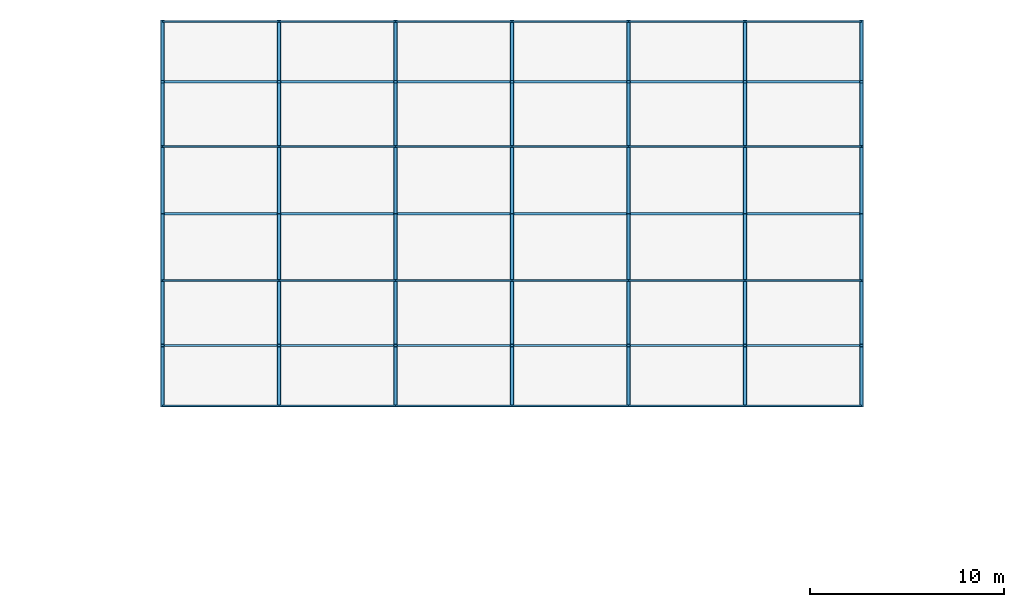
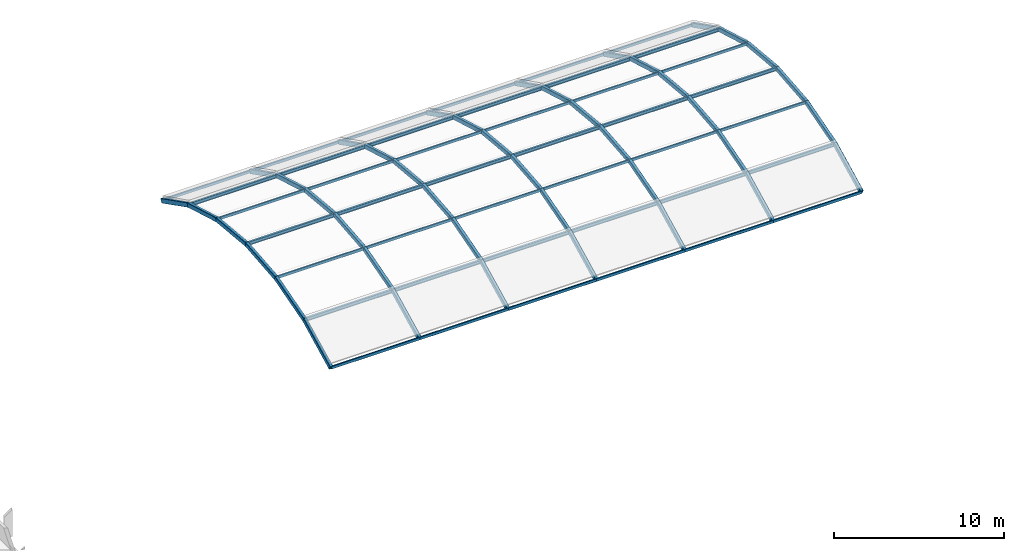
# One storey, part 6 of 27: 42 beams, 42 members.
"""IFC4 building model written with IfcOpenShell, lengths in metres."""

import ifcopenshell
import ifcopenshell.guid

model = None  # the IFC model being written
_history = None  # IfcOwnerHistory: only IFC2X3 demands one
_inside = {}  # id of a spatial element -> (the spatial element, [elements in it])
_under = {}  # id of a project, library or spatial element -> (it, [spatial elements below it])
_declared = {}  # id of a project -> (the project, [libraries it declares])
_typed = {}  # id of a type object -> (the type object, [elements of that type])
_made_of = {}  # id of a material, layer set ... -> (it, [elements and type objects made of it])


def new_model(schema):
    """Start an empty IFC model of exactly this schema.

    Asked for "IFC4X3", IfcOpenShell would pick the latest addendum, in which some entities
    have other attributes; the version numbers below select the first issue.
    IFC2X3 requires an IfcOwnerHistory on every rooted entity: one is made here for all.
    """
    global model, _history
    if schema == "IFC4X3":
        model = ifcopenshell.file(schema_version=(4, 3, 0, 0))
    else:
        model = ifcopenshell.file(schema=schema)
    _inside.clear()
    _under.clear()
    _declared.clear()
    _typed.clear()
    _made_of.clear()
    _history = None
    if model.schema == "IFC2X3":
        org = make("IfcOrganization", Name="unknown")
        user = make(
            "IfcPersonAndOrganization",
            ThePerson=make("IfcPerson", FamilyName="unknown"),
            TheOrganization=org,
        )
        app = make(
            "IfcApplication",
            ApplicationDeveloper=org,
            Version="unknown",
            ApplicationFullName="unknown",
            ApplicationIdentifier="unknown",
        )
        _history = make(
            "IfcOwnerHistory",
            OwningUser=user,
            OwningApplication=app,
            ChangeAction="ADDED",
            CreationDate=0,
        )
    return model


def make(cls, **values):
    """One entity of the class cls with the attributes given. An attribute that is None is left unset."""
    return model.create_entity(
        cls, **{name: value for name, value in values.items() if value is not None}
    )


def rooted(cls, **values):
    """An entity with a GlobalId (a new one), such as an element, a storey or a relation."""
    return make(cls, GlobalId=ifcopenshell.guid.new(), OwnerHistory=_history, **values)


def si_unit(unit_type, name, prefix=None):
    """IfcSIUnit, for example si_unit("LENGTHUNIT", "METRE", prefix="MILLI")."""
    return make("IfcSIUnit", UnitType=unit_type, Prefix=prefix, Name=name)


def assignment(units):
    """IfcUnitAssignment: the units of a project."""
    return None if units is None else make("IfcUnitAssignment", Units=units)


def point(xyz):
    """IfcCartesianPoint."""
    return None if xyz is None else make("IfcCartesianPoint", Coordinates=xyz)


def direction(xyz):
    """IfcDirection."""
    return None if xyz is None else make("IfcDirection", DirectionRatios=xyz)


def frame(location, z_axis=None, x_axis=None):
    """IfcAxis2Placement3D, a coordinate frame: its origin and axes. An axis left out is left unset."""
    return make(
        "IfcAxis2Placement3D",
        Location=point(location),
        Axis=direction(z_axis),
        RefDirection=direction(x_axis),
    )


def frame_2d(location, x_axis=None):
    """IfcAxis2Placement2D, a coordinate frame in the plane: its origin and x axis."""
    return make(
        "IfcAxis2Placement2D", Location=point(location), RefDirection=direction(x_axis)
    )


def origin():
    """The frame at (0, 0, 0) with its axes left unset."""
    return frame((0.0, 0.0, 0.0))


def origin_2d():
    """The frame at (0, 0) in the plane with its x axis left unset."""
    return frame_2d((0.0, 0.0))


def place(relative_to, where):
    """IfcLocalPlacement: puts the frame where relative to a parent placement (None: the world)."""
    return make(
        "IfcLocalPlacement", PlacementRelTo=relative_to, RelativePlacement=where
    )


def context(
    kind, dimensions, precision=None, world=None, true_north=None, identifier=None
):
    """IfcGeometricRepresentationContext, for example the 3D "Model" context."""
    return make(
        "IfcGeometricRepresentationContext",
        ContextIdentifier=identifier,
        ContextType=kind,
        CoordinateSpaceDimension=dimensions,
        Precision=precision,
        WorldCoordinateSystem=world,
        TrueNorth=true_north,
    )


def subcontext(parent, identifier, kind, view, scale=None):
    """IfcGeometricRepresentationSubContext, for example "Body" below "Model"."""
    return make(
        "IfcGeometricRepresentationSubContext",
        ContextIdentifier=identifier,
        ContextType=kind,
        ParentContext=parent,
        TargetScale=scale,
        TargetView=view,
    )


def project(units=None, contexts=None):
    """IfcProject with its units and contexts."""
    return rooted(
        "IfcProject",
        Name="project",
        RepresentationContexts=contexts,
        UnitsInContext=assignment(units),
    )


def spatial(cls, under=None, at=None, **own):
    """A site, building, storey or space (cls), placed at a placement, below another one or the project."""
    s = rooted(cls, ObjectPlacement=at, **own)
    if under is not None:
        _under.setdefault(under.id(), (under, []))[1].append(s)
    return s


def profile(cls, at=None, kind="AREA", **sizes):
    """A parametric profile (cls). Its sizes go by their IFC names, for example OverallWidth=200.0."""
    return make(cls, ProfileType=kind, Position=at, **sizes)


def hollow_rectangle(**sizes):
    """IfcRectangleHollowProfileDef."""
    return profile("IfcRectangleHollowProfileDef", **sizes)


def i_section(**sizes):
    """IfcIShapeProfileDef."""
    return profile("IfcIShapeProfileDef", **sizes)


def extrude(swept, where, along, depth):
    """IfcExtrudedAreaSolid: the profile swept, set in the frame where, extruded along a direction by depth."""
    return make(
        "IfcExtrudedAreaSolid",
        SweptArea=swept,
        Position=where,
        ExtrudedDirection=direction(along),
        Depth=depth,
    )


def shape(context_of_items, identifier, shape_type, items):
    """IfcShapeRepresentation: the items that make up one representation, for example the "Body"."""
    return make(
        "IfcShapeRepresentation",
        ContextOfItems=context_of_items,
        RepresentationIdentifier=identifier,
        RepresentationType=shape_type,
        Items=items,
    )


def material(Name=None, Category=None):
    """IfcMaterial."""
    return make("IfcMaterial", Name=Name, Category=Category)


def material_profile(
    of_material, cross_section, Name=None, Category=None, Priority=None
):
    """IfcMaterialProfile: a cross section and its material."""
    return make(
        "IfcMaterialProfile",
        Name=Name,
        Material=of_material,
        Profile=cross_section,
        Priority=Priority,
        Category=Category,
    )


def profile_set(profiles, Name=None, composite=None):
    """IfcMaterialProfileSet."""
    return make(
        "IfcMaterialProfileSet",
        Name=Name,
        MaterialProfiles=profiles,
        CompositeProfile=composite,
    )


def made_of(thing, what):
    """Note that an element or type object is made of a material, layer set ...; save() writes the relation."""
    if what is not None:
        _made_of.setdefault(what.id(), (what, []))[1].append(thing)
    return thing


def type_object(cls, material=None, **own):
    """A type object (cls), such as IfcWallType, which elements share."""
    return made_of(rooted(cls, **own), material)


def element(
    cls,
    number,
    at=None,
    inside=None,
    cuts=None,
    type_object=None,
    material=None,
    context=None,
    identifier="Body",
    shape_type=None,
    held_by="IfcProductDefinitionShape",
    body=None,
    shapes=None,
    **own,
):
    """One element of the class cls, such as IfcWall. Its Tag is "e" and its number.

    at: its placement. inside: the storey or other place that contains it. cuts: it is an
    opening in that element (IfcRelVoidsElement). A single representation is given by context,
    identifier, shape_type and body (its items); several are given by shapes. held_by: the class
    of the entity that holds the representations. save() writes the other relations.
    """
    e = rooted(cls, Tag="e%d" % number, ObjectPlacement=at, **own)
    if body is not None:
        shapes = [shape(context, identifier, shape_type, body)]
    if shapes is not None:
        e.Representation = make(held_by, Representations=shapes)
    if inside is not None:
        _inside.setdefault(inside.id(), (inside, []))[1].append(e)
    if cuts is not None:
        rooted(
            "IfcRelVoidsElement", RelatingBuildingElement=cuts, RelatedOpeningElement=e
        )
    if type_object is not None:
        _typed.setdefault(type_object.id(), (type_object, []))[1].append(e)
    return made_of(e, material)


def aggregate(whole, parts):
    """IfcRelAggregates: a whole, such as a stair, and the parts it consists of."""
    return rooted("IfcRelAggregates", RelatingObject=whole, RelatedObjects=parts)


def save(model, path):
    """Write the relations noted so far, then the file.

    IfcRelAggregates (storeys below a building ...), IfcRelContainedInSpatialStructure (elements
    in a storey), IfcRelDefinesByType, IfcRelAssociatesMaterial and IfcRelDeclares: one each for
    every whole, place, type object, material and project.
    """
    for whole, parts in _under.values():
        aggregate(whole, parts)
    for where, things in _inside.values():
        rooted(
            "IfcRelContainedInSpatialStructure",
            RelatedElements=things,
            RelatingStructure=where,
        )
    for kind, things in _typed.values():
        rooted("IfcRelDefinesByType", RelatedObjects=things, RelatingType=kind)
    for what, things in _made_of.values():
        rooted("IfcRelAssociatesMaterial", RelatedObjects=things, RelatingMaterial=what)
    for by, libraries in _declared.values():
        rooted("IfcRelDeclares", RelatingContext=by, RelatedDefinitions=libraries)
    model.write(path)


model = new_model("IFC4")

# Units and contexts
model_context = context("Model", 3, precision=1e-05, world=origin(), true_north=direction((0.0, 1.0)))
body_context = subcontext(model_context, "Body", "Model", "MODEL_VIEW")
ifc_project = project(units=[si_unit("LENGTHUNIT", "METRE"), si_unit("AREAUNIT", "SQUARE_METRE"), si_unit("VOLUMEUNIT", "CUBIC_METRE"), si_unit("PLANEANGLEUNIT", "RADIAN"), si_unit("MASSUNIT", "GRAM", prefix="KILO")], contexts=[model_context])

# Site, building, storey
site_placement = place(None, origin())
site = spatial("IfcSite", under=ifc_project, at=site_placement, CompositionType="ELEMENT")
building_placement = place(site_placement, origin())
building = spatial("IfcBuilding", under=site, at=building_placement, Name="Varnakota Square Police Headquarters", CompositionType="ELEMENT")
storey_placement = place(building_placement, frame((0.0, 0.0, 26.10009765625)))
storey = spatial("IfcBuildingStorey", under=building, at=storey_placement, Name="L06", CompositionType="ELEMENT", Elevation=26.10009765625)

# Beams
ifc_material = material(Name="Steel IS 2062 Grade 350", Category="steel")
ifc_material_profile_1 = material_profile(ifc_material, hollow_rectangle(XDim=0.199951171875, YDim=0.300048828125, WallThickness=0.011962890625, InnerFilletRadius=0.011962890625, OuterFilletRadius=0.02392578125, at=origin_2d()), Name="RHS 300x200x12")
ifc_profile_set_1 = profile_set([ifc_material_profile_1], Name="Steel IS 2062 Grade 350")
beam_type = type_object("IfcBeamType", Name="BM-VR-RHS300", PredefinedType="BEAM", material=ifc_profile_set_1)
beam_1_placement = place(storey_placement, frame((60.0, 74.097900390625, 0.438232421875), z_axis=(0.0, 0.892214040756, 0.451612782677), x_axis=(-1.0, 0.0, 0.0)))
element("IfcBeam", 1, at=beam_1_placement, inside=storey, type_object=beam_type, Name="Barrel vault arch rib chord VR-V2-R01-S03", PredefinedType="BEAM", context=body_context, shape_type="SweptSolid", body=[
    extrude(hollow_rectangle(XDim=0.199951171875, YDim=0.300048828125, WallThickness=0.011962890625, InnerFilletRadius=0.011962890625, OuterFilletRadius=0.02392578125, at=origin_2d()), origin(), (0.0, 0.0, 1.0), 3.48095703125),
])
beam_2_placement = place(storey_placement, frame((60.0, 77.20361328125, 2.01025390625), z_axis=(0.0, 0.96071126913, 0.277549738544), x_axis=(-1.0, 0.0, 0.0)))
element("IfcBeam", 2, at=beam_2_placement, inside=storey, type_object=beam_type, Name="Barrel vault arch rib chord VR-V2-R01-S04", PredefinedType="BEAM", context=body_context, shape_type="SweptSolid", body=[
    extrude(hollow_rectangle(XDim=0.199951171875, YDim=0.300048828125, WallThickness=0.011962890625, InnerFilletRadius=0.011962890625, OuterFilletRadius=0.02392578125, at=origin_2d()), origin(), (0.0, 0.0, 1.0), 3.475341796875),
])
for number, where, z_axis, x_axis, name in (
    (3, (60.0, 80.54248046875, 2.974853515625), (0.0, 0.995573175043, 0.093989643767), (-1.0, 0.0, 0.0), "Barrel vault arch rib chord VR-V2-R01-S05"),
    (4, (60.0, 84.0, 3.30126953125), (0.0, 0.995573175043, -0.093989643767), (-1.0, 0.0, 0.0), "Barrel vault arch rib chord VR-V2-R01-S06"),
):
    element("IfcBeam", number, at=place(storey_placement, frame(where, z_axis=z_axis, x_axis=x_axis)), inside=storey, type_object=beam_type, Name=name, PredefinedType="BEAM", context=body_context, shape_type="SweptSolid", body=[
        extrude(hollow_rectangle(XDim=0.199951171875, YDim=0.300048828125, WallThickness=0.011962890625, InnerFilletRadius=0.011962890625, OuterFilletRadius=0.02392578125, at=origin_2d()), origin(), (0.0, 0.0, 1.0), 3.472900390625),
    ])
beam_3_placement = place(storey_placement, frame((60.0, 87.45751953125, 2.974853515625), z_axis=(0.0, 0.96071126913, -0.277549738544), x_axis=(-1.0, 0.0, 0.0)))
element("IfcBeam", 5, at=beam_3_placement, inside=storey, type_object=beam_type, Name="Barrel vault arch rib chord VR-V2-R01-S07", PredefinedType="BEAM", context=body_context, shape_type="SweptSolid", body=[
    extrude(hollow_rectangle(XDim=0.199951171875, YDim=0.300048828125, WallThickness=0.011962890625, InnerFilletRadius=0.011962890625, OuterFilletRadius=0.02392578125, at=origin_2d()), origin(), (0.0, 0.0, 1.0), 3.475341796875),
])
for number, where, z_axis, x_axis, name in (
    (6, (60.0, 90.79638671875, 2.01025390625), (0.0, 0.892214040756, -0.451612782677), (-1.0, 0.0, 0.0), "Barrel vault arch rib chord VR-V2-R01-S08"),
    (7, (66.0, 74.097900390625, 0.438232421875), (0.0, 0.892214040756, 0.451612782677), (-1.0, 0.0, 0.0), "Barrel vault arch rib chord VR-V2-R02-S03"),
):
    element("IfcBeam", number, at=place(storey_placement, frame(where, z_axis=z_axis, x_axis=x_axis)), inside=storey, type_object=beam_type, Name=name, PredefinedType="BEAM", context=body_context, shape_type="SweptSolid", body=[
        extrude(hollow_rectangle(XDim=0.199951171875, YDim=0.300048828125, WallThickness=0.011962890625, InnerFilletRadius=0.011962890625, OuterFilletRadius=0.02392578125, at=origin_2d()), origin(), (0.0, 0.0, 1.0), 3.48095703125),
    ])
beam_4_placement = place(storey_placement, frame((66.0, 77.20361328125, 2.01025390625), z_axis=(0.0, 0.96071126913, 0.277549738544), x_axis=(-1.0, 0.0, 0.0)))
element("IfcBeam", 8, at=beam_4_placement, inside=storey, type_object=beam_type, Name="Barrel vault arch rib chord VR-V2-R02-S04", PredefinedType="BEAM", context=body_context, shape_type="SweptSolid", body=[
    extrude(hollow_rectangle(XDim=0.199951171875, YDim=0.300048828125, WallThickness=0.011962890625, InnerFilletRadius=0.011962890625, OuterFilletRadius=0.02392578125, at=origin_2d()), origin(), (0.0, 0.0, 1.0), 3.475341796875),
])
for number, where, z_axis, x_axis, name in (
    (9, (66.0, 80.54248046875, 2.974853515625), (0.0, 0.995573175043, 0.093989643767), (-1.0, 0.0, 0.0), "Barrel vault arch rib chord VR-V2-R02-S05"),
    (10, (66.0, 84.0, 3.30126953125), (0.0, 0.995573175043, -0.093989643767), (-1.0, 0.0, 0.0), "Barrel vault arch rib chord VR-V2-R02-S06"),
):
    element("IfcBeam", number, at=place(storey_placement, frame(where, z_axis=z_axis, x_axis=x_axis)), inside=storey, type_object=beam_type, Name=name, PredefinedType="BEAM", context=body_context, shape_type="SweptSolid", body=[
        extrude(hollow_rectangle(XDim=0.199951171875, YDim=0.300048828125, WallThickness=0.011962890625, InnerFilletRadius=0.011962890625, OuterFilletRadius=0.02392578125, at=origin_2d()), origin(), (0.0, 0.0, 1.0), 3.472900390625),
    ])
beam_5_placement = place(storey_placement, frame((66.0, 87.45751953125, 2.974853515625), z_axis=(0.0, 0.96071126913, -0.277549738544), x_axis=(-1.0, 0.0, 0.0)))
element("IfcBeam", 11, at=beam_5_placement, inside=storey, type_object=beam_type, Name="Barrel vault arch rib chord VR-V2-R02-S07", PredefinedType="BEAM", context=body_context, shape_type="SweptSolid", body=[
    extrude(hollow_rectangle(XDim=0.199951171875, YDim=0.300048828125, WallThickness=0.011962890625, InnerFilletRadius=0.011962890625, OuterFilletRadius=0.02392578125, at=origin_2d()), origin(), (0.0, 0.0, 1.0), 3.475341796875),
])
for number, where, z_axis, x_axis, name in (
    (12, (66.0, 90.79638671875, 2.01025390625), (0.0, 0.892214040756, -0.451612782677), (-1.0, 0.0, 0.0), "Barrel vault arch rib chord VR-V2-R02-S08"),
    (13, (72.0, 74.097900390625, 0.438232421875), (0.0, 0.892214040756, 0.451612782677), (-1.0, 0.0, 0.0), "Barrel vault arch rib chord VR-V2-R03-S03"),
):
    element("IfcBeam", number, at=place(storey_placement, frame(where, z_axis=z_axis, x_axis=x_axis)), inside=storey, type_object=beam_type, Name=name, PredefinedType="BEAM", context=body_context, shape_type="SweptSolid", body=[
        extrude(hollow_rectangle(XDim=0.199951171875, YDim=0.300048828125, WallThickness=0.011962890625, InnerFilletRadius=0.011962890625, OuterFilletRadius=0.02392578125, at=origin_2d()), origin(), (0.0, 0.0, 1.0), 3.48095703125),
    ])
beam_6_placement = place(storey_placement, frame((72.0, 77.20361328125, 2.01025390625), z_axis=(0.0, 0.96071126913, 0.277549738544), x_axis=(-1.0, 0.0, 0.0)))
element("IfcBeam", 14, at=beam_6_placement, inside=storey, type_object=beam_type, Name="Barrel vault arch rib chord VR-V2-R03-S04", PredefinedType="BEAM", context=body_context, shape_type="SweptSolid", body=[
    extrude(hollow_rectangle(XDim=0.199951171875, YDim=0.300048828125, WallThickness=0.011962890625, InnerFilletRadius=0.011962890625, OuterFilletRadius=0.02392578125, at=origin_2d()), origin(), (0.0, 0.0, 1.0), 3.475341796875),
])
for number, where, z_axis, x_axis, name in (
    (15, (72.0, 80.54248046875, 2.974853515625), (0.0, 0.995573175043, 0.093989643767), (-1.0, 0.0, 0.0), "Barrel vault arch rib chord VR-V2-R03-S05"),
    (16, (72.0, 84.0, 3.30126953125), (0.0, 0.995573175043, -0.093989643767), (-1.0, 0.0, 0.0), "Barrel vault arch rib chord VR-V2-R03-S06"),
):
    element("IfcBeam", number, at=place(storey_placement, frame(where, z_axis=z_axis, x_axis=x_axis)), inside=storey, type_object=beam_type, Name=name, PredefinedType="BEAM", context=body_context, shape_type="SweptSolid", body=[
        extrude(hollow_rectangle(XDim=0.199951171875, YDim=0.300048828125, WallThickness=0.011962890625, InnerFilletRadius=0.011962890625, OuterFilletRadius=0.02392578125, at=origin_2d()), origin(), (0.0, 0.0, 1.0), 3.472900390625),
    ])
beam_7_placement = place(storey_placement, frame((72.0, 87.45751953125, 2.974853515625), z_axis=(0.0, 0.96071126913, -0.277549738544), x_axis=(-1.0, 0.0, 0.0)))
element("IfcBeam", 17, at=beam_7_placement, inside=storey, type_object=beam_type, Name="Barrel vault arch rib chord VR-V2-R03-S07", PredefinedType="BEAM", context=body_context, shape_type="SweptSolid", body=[
    extrude(hollow_rectangle(XDim=0.199951171875, YDim=0.300048828125, WallThickness=0.011962890625, InnerFilletRadius=0.011962890625, OuterFilletRadius=0.02392578125, at=origin_2d()), origin(), (0.0, 0.0, 1.0), 3.475341796875),
])
for number, where, z_axis, x_axis, name in (
    (18, (72.0, 90.79638671875, 2.01025390625), (0.0, 0.892214040756, -0.451612782677), (-1.0, 0.0, 0.0), "Barrel vault arch rib chord VR-V2-R03-S08"),
    (19, (78.0, 74.097900390625, 0.438232421875), (0.0, 0.892214040756, 0.451612782677), (-1.0, 0.0, 0.0), "Barrel vault arch rib chord VR-V2-R04-S03"),
):
    element("IfcBeam", number, at=place(storey_placement, frame(where, z_axis=z_axis, x_axis=x_axis)), inside=storey, type_object=beam_type, Name=name, PredefinedType="BEAM", context=body_context, shape_type="SweptSolid", body=[
        extrude(hollow_rectangle(XDim=0.199951171875, YDim=0.300048828125, WallThickness=0.011962890625, InnerFilletRadius=0.011962890625, OuterFilletRadius=0.02392578125, at=origin_2d()), origin(), (0.0, 0.0, 1.0), 3.48095703125),
    ])
beam_8_placement = place(storey_placement, frame((78.0, 77.20361328125, 2.01025390625), z_axis=(0.0, 0.96071126913, 0.277549738544), x_axis=(-1.0, 0.0, 0.0)))
element("IfcBeam", 20, at=beam_8_placement, inside=storey, type_object=beam_type, Name="Barrel vault arch rib chord VR-V2-R04-S04", PredefinedType="BEAM", context=body_context, shape_type="SweptSolid", body=[
    extrude(hollow_rectangle(XDim=0.199951171875, YDim=0.300048828125, WallThickness=0.011962890625, InnerFilletRadius=0.011962890625, OuterFilletRadius=0.02392578125, at=origin_2d()), origin(), (0.0, 0.0, 1.0), 3.475341796875),
])
for number, where, z_axis, x_axis, name in (
    (21, (78.0, 80.54248046875, 2.974853515625), (0.0, 0.995573175043, 0.093989643767), (-1.0, 0.0, 0.0), "Barrel vault arch rib chord VR-V2-R04-S05"),
    (22, (78.0, 84.0, 3.30126953125), (0.0, 0.995573175043, -0.093989643767), (-1.0, 0.0, 0.0), "Barrel vault arch rib chord VR-V2-R04-S06"),
):
    element("IfcBeam", number, at=place(storey_placement, frame(where, z_axis=z_axis, x_axis=x_axis)), inside=storey, type_object=beam_type, Name=name, PredefinedType="BEAM", context=body_context, shape_type="SweptSolid", body=[
        extrude(hollow_rectangle(XDim=0.199951171875, YDim=0.300048828125, WallThickness=0.011962890625, InnerFilletRadius=0.011962890625, OuterFilletRadius=0.02392578125, at=origin_2d()), origin(), (0.0, 0.0, 1.0), 3.472900390625),
    ])
beam_9_placement = place(storey_placement, frame((78.0, 87.45751953125, 2.974853515625), z_axis=(0.0, 0.96071126913, -0.277549738544), x_axis=(-1.0, 0.0, 0.0)))
element("IfcBeam", 23, at=beam_9_placement, inside=storey, type_object=beam_type, Name="Barrel vault arch rib chord VR-V2-R04-S07", PredefinedType="BEAM", context=body_context, shape_type="SweptSolid", body=[
    extrude(hollow_rectangle(XDim=0.199951171875, YDim=0.300048828125, WallThickness=0.011962890625, InnerFilletRadius=0.011962890625, OuterFilletRadius=0.02392578125, at=origin_2d()), origin(), (0.0, 0.0, 1.0), 3.475341796875),
])
for number, where, z_axis, x_axis, name in (
    (24, (78.0, 90.79638671875, 2.01025390625), (0.0, 0.892214040756, -0.451612782677), (-1.0, 0.0, 0.0), "Barrel vault arch rib chord VR-V2-R04-S08"),
    (25, (84.0, 74.097900390625, 0.438232421875), (0.0, 0.892214040756, 0.451612782677), (-1.0, 0.0, 0.0), "Barrel vault arch rib chord VR-V2-R05-S03"),
):
    element("IfcBeam", number, at=place(storey_placement, frame(where, z_axis=z_axis, x_axis=x_axis)), inside=storey, type_object=beam_type, Name=name, PredefinedType="BEAM", context=body_context, shape_type="SweptSolid", body=[
        extrude(hollow_rectangle(XDim=0.199951171875, YDim=0.300048828125, WallThickness=0.011962890625, InnerFilletRadius=0.011962890625, OuterFilletRadius=0.02392578125, at=origin_2d()), origin(), (0.0, 0.0, 1.0), 3.48095703125),
    ])
beam_10_placement = place(storey_placement, frame((84.0, 77.20361328125, 2.01025390625), z_axis=(0.0, 0.96071126913, 0.277549738544), x_axis=(-1.0, 0.0, 0.0)))
element("IfcBeam", 26, at=beam_10_placement, inside=storey, type_object=beam_type, Name="Barrel vault arch rib chord VR-V2-R05-S04", PredefinedType="BEAM", context=body_context, shape_type="SweptSolid", body=[
    extrude(hollow_rectangle(XDim=0.199951171875, YDim=0.300048828125, WallThickness=0.011962890625, InnerFilletRadius=0.011962890625, OuterFilletRadius=0.02392578125, at=origin_2d()), origin(), (0.0, 0.0, 1.0), 3.475341796875),
])
for number, where, z_axis, x_axis, name in (
    (27, (84.0, 80.54248046875, 2.974853515625), (0.0, 0.995573175043, 0.093989643767), (-1.0, 0.0, 0.0), "Barrel vault arch rib chord VR-V2-R05-S05"),
    (28, (84.0, 84.0, 3.30126953125), (0.0, 0.995573175043, -0.093989643767), (-1.0, 0.0, 0.0), "Barrel vault arch rib chord VR-V2-R05-S06"),
):
    element("IfcBeam", number, at=place(storey_placement, frame(where, z_axis=z_axis, x_axis=x_axis)), inside=storey, type_object=beam_type, Name=name, PredefinedType="BEAM", context=body_context, shape_type="SweptSolid", body=[
        extrude(hollow_rectangle(XDim=0.199951171875, YDim=0.300048828125, WallThickness=0.011962890625, InnerFilletRadius=0.011962890625, OuterFilletRadius=0.02392578125, at=origin_2d()), origin(), (0.0, 0.0, 1.0), 3.472900390625),
    ])
beam_11_placement = place(storey_placement, frame((84.0, 87.45751953125, 2.974853515625), z_axis=(0.0, 0.96071126913, -0.277549738544), x_axis=(-1.0, 0.0, 0.0)))
element("IfcBeam", 29, at=beam_11_placement, inside=storey, type_object=beam_type, Name="Barrel vault arch rib chord VR-V2-R05-S07", PredefinedType="BEAM", context=body_context, shape_type="SweptSolid", body=[
    extrude(hollow_rectangle(XDim=0.199951171875, YDim=0.300048828125, WallThickness=0.011962890625, InnerFilletRadius=0.011962890625, OuterFilletRadius=0.02392578125, at=origin_2d()), origin(), (0.0, 0.0, 1.0), 3.475341796875),
])
for number, where, z_axis, x_axis, name in (
    (30, (84.0, 90.79638671875, 2.01025390625), (0.0, 0.892214040756, -0.451612782677), (-1.0, 0.0, 0.0), "Barrel vault arch rib chord VR-V2-R05-S08"),
    (31, (90.0, 74.097900390625, 0.438232421875), (0.0, 0.892214040756, 0.451612782677), (-1.0, 0.0, 0.0), "Barrel vault arch rib chord VR-V2-R06-S03"),
):
    element("IfcBeam", number, at=place(storey_placement, frame(where, z_axis=z_axis, x_axis=x_axis)), inside=storey, type_object=beam_type, Name=name, PredefinedType="BEAM", context=body_context, shape_type="SweptSolid", body=[
        extrude(hollow_rectangle(XDim=0.199951171875, YDim=0.300048828125, WallThickness=0.011962890625, InnerFilletRadius=0.011962890625, OuterFilletRadius=0.02392578125, at=origin_2d()), origin(), (0.0, 0.0, 1.0), 3.48095703125),
    ])
beam_12_placement = place(storey_placement, frame((90.0, 77.20361328125, 2.01025390625), z_axis=(0.0, 0.96071126913, 0.277549738544), x_axis=(-1.0, 0.0, 0.0)))
element("IfcBeam", 32, at=beam_12_placement, inside=storey, type_object=beam_type, Name="Barrel vault arch rib chord VR-V2-R06-S04", PredefinedType="BEAM", context=body_context, shape_type="SweptSolid", body=[
    extrude(hollow_rectangle(XDim=0.199951171875, YDim=0.300048828125, WallThickness=0.011962890625, InnerFilletRadius=0.011962890625, OuterFilletRadius=0.02392578125, at=origin_2d()), origin(), (0.0, 0.0, 1.0), 3.475341796875),
])
for number, where, z_axis, x_axis, name in (
    (33, (90.0, 80.54248046875, 2.974853515625), (0.0, 0.995573175043, 0.093989643767), (-1.0, 0.0, 0.0), "Barrel vault arch rib chord VR-V2-R06-S05"),
    (34, (90.0, 84.0, 3.30126953125), (0.0, 0.995573175043, -0.093989643767), (-1.0, 0.0, 0.0), "Barrel vault arch rib chord VR-V2-R06-S06"),
):
    element("IfcBeam", number, at=place(storey_placement, frame(where, z_axis=z_axis, x_axis=x_axis)), inside=storey, type_object=beam_type, Name=name, PredefinedType="BEAM", context=body_context, shape_type="SweptSolid", body=[
        extrude(hollow_rectangle(XDim=0.199951171875, YDim=0.300048828125, WallThickness=0.011962890625, InnerFilletRadius=0.011962890625, OuterFilletRadius=0.02392578125, at=origin_2d()), origin(), (0.0, 0.0, 1.0), 3.472900390625),
    ])
beam_13_placement = place(storey_placement, frame((90.0, 87.45751953125, 2.974853515625), z_axis=(0.0, 0.96071126913, -0.277549738544), x_axis=(-1.0, 0.0, 0.0)))
element("IfcBeam", 35, at=beam_13_placement, inside=storey, type_object=beam_type, Name="Barrel vault arch rib chord VR-V2-R06-S07", PredefinedType="BEAM", context=body_context, shape_type="SweptSolid", body=[
    extrude(hollow_rectangle(XDim=0.199951171875, YDim=0.300048828125, WallThickness=0.011962890625, InnerFilletRadius=0.011962890625, OuterFilletRadius=0.02392578125, at=origin_2d()), origin(), (0.0, 0.0, 1.0), 3.475341796875),
])
for number, where, z_axis, x_axis, name in (
    (36, (90.0, 90.79638671875, 2.01025390625), (0.0, 0.892214040756, -0.451612782677), (-1.0, 0.0, 0.0), "Barrel vault arch rib chord VR-V2-R06-S08"),
    (37, (96.0, 74.097900390625, 0.438232421875), (0.0, 0.892214040756, 0.451612782677), (-1.0, 0.0, 0.0), "Barrel vault arch rib chord VR-V2-R07-S03"),
):
    element("IfcBeam", number, at=place(storey_placement, frame(where, z_axis=z_axis, x_axis=x_axis)), inside=storey, type_object=beam_type, Name=name, PredefinedType="BEAM", context=body_context, shape_type="SweptSolid", body=[
        extrude(hollow_rectangle(XDim=0.199951171875, YDim=0.300048828125, WallThickness=0.011962890625, InnerFilletRadius=0.011962890625, OuterFilletRadius=0.02392578125, at=origin_2d()), origin(), (0.0, 0.0, 1.0), 3.48095703125),
    ])
beam_14_placement = place(storey_placement, frame((96.0, 77.20361328125, 2.01025390625), z_axis=(0.0, 0.96071126913, 0.277549738544), x_axis=(-1.0, 0.0, 0.0)))
element("IfcBeam", 38, at=beam_14_placement, inside=storey, type_object=beam_type, Name="Barrel vault arch rib chord VR-V2-R07-S04", PredefinedType="BEAM", context=body_context, shape_type="SweptSolid", body=[
    extrude(hollow_rectangle(XDim=0.199951171875, YDim=0.300048828125, WallThickness=0.011962890625, InnerFilletRadius=0.011962890625, OuterFilletRadius=0.02392578125, at=origin_2d()), origin(), (0.0, 0.0, 1.0), 3.475341796875),
])
for number, where, z_axis, x_axis, name in (
    (39, (96.0, 80.54248046875, 2.974853515625), (0.0, 0.995573175043, 0.093989643767), (-1.0, 0.0, 0.0), "Barrel vault arch rib chord VR-V2-R07-S05"),
    (40, (96.0, 84.0, 3.30126953125), (0.0, 0.995573175043, -0.093989643767), (-1.0, 0.0, 0.0), "Barrel vault arch rib chord VR-V2-R07-S06"),
):
    element("IfcBeam", number, at=place(storey_placement, frame(where, z_axis=z_axis, x_axis=x_axis)), inside=storey, type_object=beam_type, Name=name, PredefinedType="BEAM", context=body_context, shape_type="SweptSolid", body=[
        extrude(hollow_rectangle(XDim=0.199951171875, YDim=0.300048828125, WallThickness=0.011962890625, InnerFilletRadius=0.011962890625, OuterFilletRadius=0.02392578125, at=origin_2d()), origin(), (0.0, 0.0, 1.0), 3.472900390625),
    ])
beam_15_placement = place(storey_placement, frame((96.0, 87.45751953125, 2.974853515625), z_axis=(0.0, 0.96071126913, -0.277549738544), x_axis=(-1.0, 0.0, 0.0)))
element("IfcBeam", 41, at=beam_15_placement, inside=storey, type_object=beam_type, Name="Barrel vault arch rib chord VR-V2-R07-S07", PredefinedType="BEAM", context=body_context, shape_type="SweptSolid", body=[
    extrude(hollow_rectangle(XDim=0.199951171875, YDim=0.300048828125, WallThickness=0.011962890625, InnerFilletRadius=0.011962890625, OuterFilletRadius=0.02392578125, at=origin_2d()), origin(), (0.0, 0.0, 1.0), 3.475341796875),
])
beam_16_placement = place(storey_placement, frame((96.0, 90.79638671875, 2.01025390625), z_axis=(0.0, 0.892214040756, -0.451612782677), x_axis=(-1.0, 0.0, 0.0)))
element("IfcBeam", 42, at=beam_16_placement, inside=storey, type_object=beam_type, Name="Barrel vault arch rib chord VR-V2-R07-S08", PredefinedType="BEAM", context=body_context, shape_type="SweptSolid", body=[
    extrude(hollow_rectangle(XDim=0.199951171875, YDim=0.300048828125, WallThickness=0.011962890625, InnerFilletRadius=0.011962890625, OuterFilletRadius=0.02392578125, at=origin_2d()), origin(), (0.0, 0.0, 1.0), 3.48095703125),
])

# Members
ifc_material_profile_2 = material_profile(ifc_material, i_section(OverallWidth=0.125, OverallDepth=0.25, WebThickness=0.0068359375, FlangeThickness=0.012451171875, FilletRadius=0.012939453125, at=origin_2d()), Name="ISMB 250")
ifc_profile_set_2 = profile_set([ifc_material_profile_2], Name="Steel IS 2062 Grade 350")
member_type_1 = type_object("IfcMemberType", Name="MEM-PUR-ISMB250", PredefinedType="PURLIN", material=ifc_profile_set_2)
for number, where, z_axis, x_axis, name in (
    (43, (60.0, 77.20361328125, 1.998046875), (1.0, 0.0, 0.0), (0.0, 1.0, 0.0), "Vault roof purlin V2-B01-N03"),
    (44, (60.0, 84.0, 3.314453125), (1.0, 0.0, 0.0), (0.0, 1.0, 0.0), "Vault roof purlin V2-B01-N05"),
    (45, (60.0, 90.79638671875, 1.998046875), (1.0, 0.0, 0.0), (0.0, 1.0, 0.0), "Vault roof purlin V2-B01-N07"),
    (46, (66.0, 77.20361328125, 1.998046875), (1.0, 0.0, 0.0), (0.0, 1.0, 0.0), "Vault roof purlin V2-B02-N03"),
    (47, (66.0, 84.0, 3.314453125), (1.0, 0.0, 0.0), (0.0, 1.0, 0.0), "Vault roof purlin V2-B02-N05"),
    (48, (66.0, 90.79638671875, 1.998046875), (1.0, 0.0, 0.0), (0.0, 1.0, 0.0), "Vault roof purlin V2-B02-N07"),
    (49, (72.0, 77.20361328125, 1.998046875), (1.0, 0.0, 0.0), (0.0, 1.0, 0.0), "Vault roof purlin V2-B03-N03"),
    (50, (72.0, 84.0, 3.314453125), (1.0, 0.0, 0.0), (0.0, 1.0, 0.0), "Vault roof purlin V2-B03-N05"),
    (51, (72.0, 90.79638671875, 1.998046875), (1.0, 0.0, 0.0), (0.0, 1.0, 0.0), "Vault roof purlin V2-B03-N07"),
    (52, (78.0, 77.20361328125, 1.998046875), (1.0, 0.0, 0.0), (0.0, 1.0, 0.0), "Vault roof purlin V2-B04-N03"),
    (53, (78.0, 84.0, 3.314453125), (1.0, 0.0, 0.0), (0.0, 1.0, 0.0), "Vault roof purlin V2-B04-N05"),
    (54, (78.0, 90.79638671875, 1.998046875), (1.0, 0.0, 0.0), (0.0, 1.0, 0.0), "Vault roof purlin V2-B04-N07"),
    (55, (84.0, 77.20361328125, 1.998046875), (1.0, 0.0, 0.0), (0.0, 1.0, 0.0), "Vault roof purlin V2-B05-N03"),
    (56, (84.0, 84.0, 3.314453125), (1.0, 0.0, 0.0), (0.0, 1.0, 0.0), "Vault roof purlin V2-B05-N05"),
    (57, (84.0, 90.79638671875, 1.998046875), (1.0, 0.0, 0.0), (0.0, 1.0, 0.0), "Vault roof purlin V2-B05-N07"),
    (58, (90.0, 77.20361328125, 1.998046875), (1.0, 0.0, 0.0), (0.0, 1.0, 0.0), "Vault roof purlin V2-B06-N03"),
    (59, (90.0, 84.0, 3.314453125), (1.0, 0.0, 0.0), (0.0, 1.0, 0.0), "Vault roof purlin V2-B06-N05"),
    (60, (90.0, 90.79638671875, 1.998046875), (1.0, 0.0, 0.0), (0.0, 1.0, 0.0), "Vault roof purlin V2-B06-N07"),
):
    element("IfcMember", number, at=place(storey_placement, frame(where, z_axis=z_axis, x_axis=x_axis)), inside=storey, type_object=member_type_1, Name=name, PredefinedType="PURLIN", context=body_context, shape_type="SweptSolid", body=[
        extrude(i_section(OverallWidth=0.125, OverallDepth=0.25, WebThickness=0.0068359375, FlangeThickness=0.012451171875, FilletRadius=0.012939453125, at=origin_2d()), origin(), (0.0, 0.0, 1.0), 6.0),
    ])
ifc_material_profile_3 = material_profile(ifc_material, hollow_rectangle(XDim=0.10009765625, YDim=0.199951171875, WallThickness=0.008056640625, InnerFilletRadius=0.008056640625, OuterFilletRadius=0.01611328125, at=origin_2d()), Name="RHS 200x100x8")
ifc_profile_set_3 = profile_set([ifc_material_profile_3], Name="Steel IS 2062 Grade 350")
member_type_2 = type_object("IfcMemberType", Name="MEM-PUR-RHS200", PredefinedType="PURLIN", material=ifc_profile_set_3)
for number, where, z_axis, x_axis, name in (
    (61, (60.0, 74.097900390625, 0.444091796875), (1.0, 0.0, 0.0), (0.0, 1.0, 0.0), "Vault roof purlin V2-B01-N02"),
    (62, (60.0, 80.54248046875, 3.00439453125), (1.0, 0.0, 0.0), (0.0, 1.0, 0.0), "Vault roof purlin V2-B01-N04"),
    (63, (60.0, 87.45751953125, 3.00439453125), (1.0, 0.0, 0.0), (0.0, 1.0, 0.0), "Vault roof purlin V2-B01-N06"),
    (64, (60.0, 93.902099609375, 0.444091796875), (1.0, 0.0, 0.0), (0.0, 1.0, 0.0), "Vault roof purlin V2-B01-N08"),
    (65, (66.0, 74.097900390625, 0.444091796875), (1.0, 0.0, 0.0), (0.0, 1.0, 0.0), "Vault roof purlin V2-B02-N02"),
    (66, (66.0, 80.54248046875, 3.00439453125), (1.0, 0.0, 0.0), (0.0, 1.0, 0.0), "Vault roof purlin V2-B02-N04"),
    (67, (66.0, 87.45751953125, 3.00439453125), (1.0, 0.0, 0.0), (0.0, 1.0, 0.0), "Vault roof purlin V2-B02-N06"),
    (68, (66.0, 93.902099609375, 0.444091796875), (1.0, 0.0, 0.0), (0.0, 1.0, 0.0), "Vault roof purlin V2-B02-N08"),
    (69, (72.0, 74.097900390625, 0.444091796875), (1.0, 0.0, 0.0), (0.0, 1.0, 0.0), "Vault roof purlin V2-B03-N02"),
    (70, (72.0, 80.54248046875, 3.00439453125), (1.0, 0.0, 0.0), (0.0, 1.0, 0.0), "Vault roof purlin V2-B03-N04"),
    (71, (72.0, 87.45751953125, 3.00439453125), (1.0, 0.0, 0.0), (0.0, 1.0, 0.0), "Vault roof purlin V2-B03-N06"),
    (72, (72.0, 93.902099609375, 0.444091796875), (1.0, 0.0, 0.0), (0.0, 1.0, 0.0), "Vault roof purlin V2-B03-N08"),
    (73, (78.0, 74.097900390625, 0.444091796875), (1.0, 0.0, 0.0), (0.0, 1.0, 0.0), "Vault roof purlin V2-B04-N02"),
    (74, (78.0, 80.54248046875, 3.00439453125), (1.0, 0.0, 0.0), (0.0, 1.0, 0.0), "Vault roof purlin V2-B04-N04"),
    (75, (78.0, 87.45751953125, 3.00439453125), (1.0, 0.0, 0.0), (0.0, 1.0, 0.0), "Vault roof purlin V2-B04-N06"),
    (76, (78.0, 93.902099609375, 0.444091796875), (1.0, 0.0, 0.0), (0.0, 1.0, 0.0), "Vault roof purlin V2-B04-N08"),
    (77, (84.0, 74.097900390625, 0.444091796875), (1.0, 0.0, 0.0), (0.0, 1.0, 0.0), "Vault roof purlin V2-B05-N02"),
    (78, (84.0, 80.54248046875, 3.00439453125), (1.0, 0.0, 0.0), (0.0, 1.0, 0.0), "Vault roof purlin V2-B05-N04"),
    (79, (84.0, 87.45751953125, 3.00439453125), (1.0, 0.0, 0.0), (0.0, 1.0, 0.0), "Vault roof purlin V2-B05-N06"),
    (80, (84.0, 93.902099609375, 0.444091796875), (1.0, 0.0, 0.0), (0.0, 1.0, 0.0), "Vault roof purlin V2-B05-N08"),
    (81, (90.0, 74.097900390625, 0.444091796875), (1.0, 0.0, 0.0), (0.0, 1.0, 0.0), "Vault roof purlin V2-B06-N02"),
    (82, (90.0, 80.54248046875, 3.00439453125), (1.0, 0.0, 0.0), (0.0, 1.0, 0.0), "Vault roof purlin V2-B06-N04"),
    (83, (90.0, 87.45751953125, 3.00439453125), (1.0, 0.0, 0.0), (0.0, 1.0, 0.0), "Vault roof purlin V2-B06-N06"),
    (84, (90.0, 93.902099609375, 0.444091796875), (1.0, 0.0, 0.0), (0.0, 1.0, 0.0), "Vault roof purlin V2-B06-N08"),
):
    element("IfcMember", number, at=place(storey_placement, frame(where, z_axis=z_axis, x_axis=x_axis)), inside=storey, type_object=member_type_2, Name=name, PredefinedType="PURLIN", context=body_context, shape_type="SweptSolid", body=[
        extrude(hollow_rectangle(XDim=0.10009765625, YDim=0.199951171875, WallThickness=0.008056640625, InnerFilletRadius=0.008056640625, OuterFilletRadius=0.01611328125, at=origin_2d()), origin(), (0.0, 0.0, 1.0), 6.0),
    ])

save(model, "model.ifc")
